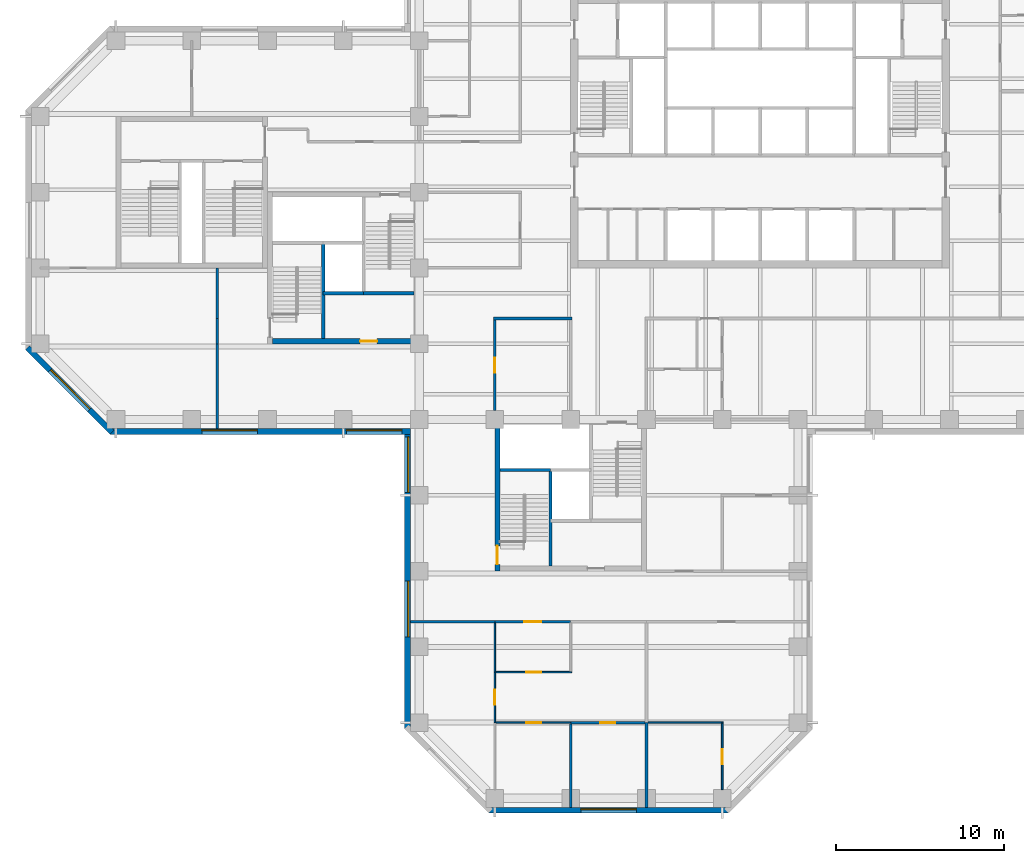
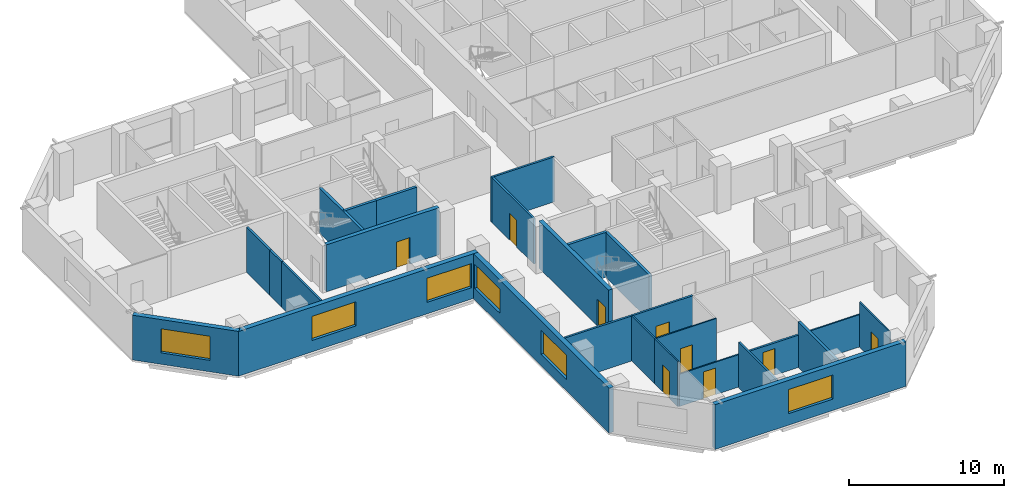
# One storey, part 3 of 11: 27 walls, 9 doors, 6 windows, 15 openings.
"""IFC4 building model written with IfcOpenShell, lengths in metres."""

from ifc_helpers import new_model, si_unit, direction, frame, frame_2d, origin, place, context, subcontext, project, spatial, rectangle, extrude, material, layer, layer_set, constituent, constituent_set, type_object, element, fill, save


model = new_model("IFC4")

# Units and contexts
model_context = context("Model", 3, precision=1e-05, world=origin(), true_north=direction((0.0, 1.0)))
body_context = subcontext(model_context, "Body", "Model", "MODEL_VIEW")
ifc_project = project(units=[si_unit("LENGTHUNIT", "METRE"), si_unit("AREAUNIT", "SQUARE_METRE"), si_unit("VOLUMEUNIT", "CUBIC_METRE"), si_unit("PLANEANGLEUNIT", "RADIAN"), si_unit("MASSUNIT", "GRAM", prefix="KILO")], contexts=[model_context])

# Site, building, storey
site_placement = place(None, origin())
site = spatial("IfcSite", under=ifc_project, at=site_placement, CompositionType="ELEMENT")
building_placement = place(site_placement, origin())
building = spatial("IfcBuilding", under=site, at=building_placement, Name="Quoin Convention Tower", CompositionType="ELEMENT")
storey_placement = place(building_placement, frame((0.0, 0.0, 123.300048828125)))
storey = spatial("IfcBuildingStorey", under=building, at=storey_placement, Name="L32", CompositionType="ELEMENT", Elevation=123.300048828125)

# Wall
ifc_material_1 = material(Name="Plasterboard")
ifc_layer_1 = layer(ifc_material_1, 0.012451171875, Name="Finish")
ifc_material_2 = material(Name="Steel stud framing", Category="steel")
ifc_layer_2 = layer(ifc_material_2, 0.125, Name="Structure")
ifc_layer_3 = layer(ifc_material_1, 0.012451171875, Name="Finish")
ifc_layer_set_1 = layer_set([ifc_layer_1, ifc_layer_2, ifc_layer_3], Name="Steel stud framing")
wall_type_1 = type_object("IfcWallType", Name="Acoustic partition 150", PredefinedType="PARTITIONING", material=ifc_layer_set_1)
wall_1_placement = place(storey_placement, frame((45.0, 17.47509765625, 0.0), z_axis=(0.0, 0.0, 1.0), x_axis=(0.0, 1.0, 0.0)))
element("IfcWall", 1, at=wall_1_placement, inside=storey, type_object=wall_type_1, Name="pw-L32-059", PredefinedType="PARTITIONING", context=body_context, shape_type="SweptSolid", body=[
    extrude(rectangle(XDim=4.949951171875, YDim=0.14990234375, at=frame_2d((2.47509765625, 0.0))), origin(), (0.0, 0.0, 1.0), 3.550048828125),
])

# Wall, opening, door
ifc_layer_4 = layer(ifc_material_1, 0.012451171875, Name="Finish")
ifc_layer_5 = layer(ifc_material_2, 0.125, Name="Structure")
ifc_layer_6 = layer(ifc_material_1, 0.012451171875, Name="Finish")
ifc_layer_set_2 = layer_set([ifc_layer_4, ifc_layer_5, ifc_layer_6], Name="Steel stud framing")
wall_type_2 = type_object("IfcWallType", Name="Acoustic partition 150 under beam 1000", PredefinedType="PARTITIONING", material=ifc_layer_set_2)
wall_2_placement = place(storey_placement, frame((45.0, 22.5, 0.0), z_axis=(0.0, 0.0, 1.0), x_axis=(1.0, 0.0, 0.0)))
wall_2 = element("IfcWall", 2, at=wall_2_placement, inside=storey, type_object=wall_type_2, Name="pw-L32-002", PredefinedType="PARTITIONING", context=body_context, shape_type="SweptSolid", body=[
    extrude(rectangle(XDim=4.39990234375, YDim=0.14990234375, at=frame_2d((2.199951171875, 0.0))), origin(), (0.0, 0.0, 1.0), 2.550048828125),
])
opening_1_placement = place(wall_2_placement, frame((1.75, 0.0, 0.0)))
opening_1 = element("IfcOpeningElement", 3, at=opening_1_placement, cuts=wall_2, Name="Opening DOL6-02", PredefinedType="OPENING", context=body_context, shape_type="SweptSolid", body=[
    extrude(rectangle(XDim=0.89990234375, YDim=2.10009765625, at=frame_2d((0.449951171875, 1.050048828125))), frame((0.0, 0.0849609375, 0.0), z_axis=(0.0, -1.0, 0.0), x_axis=(1.0, 0.0, 0.0)), (0.0, 0.0, 1.0), 0.169921875),
])
ifc_material_3 = material(Name="Steel door leaf", Category="steel")
door_type_1 = type_object("IfcDoorType", Name="Office door 900 x 2100", OperationType="SINGLE_SWING_RIGHT", PredefinedType="DOOR", material=ifc_material_3)
door_1_placement = place(opening_1_placement, origin())
door_1 = element("IfcDoor", 4, at=door_1_placement, inside=storey, type_object=door_type_1, Name="dr-L32-13", OperationType="SINGLE_SWING_RIGHT", OverallHeight=2.10009765625, OverallWidth=0.89990234375, PredefinedType="DOOR", context=body_context, shape_type="SweptSolid", body=[
    extrude(rectangle(XDim=0.89990234375, YDim=2.10009765625, at=frame_2d((0.449951171875, 1.050048828125))), frame((0.0, 0.02490234375, 0.0), z_axis=(0.0, -1.0, 0.0), x_axis=(1.0, 0.0, 0.0)), (0.0, 0.0, 1.0), 0.050048828125),
])
fill(opening_1, door_1)

# Wall, opening, window
ifc_material_4 = material(Name="Brick masonry", Category="masonry")
ifc_layer_7 = layer(ifc_material_4, 0.35009765625)
ifc_layer_set_3 = layer_set([ifc_layer_7], Name="Brick masonry")
wall_type_3 = type_object("IfcWallType", Name="Brick facade wall", PredefinedType="STANDARD", material=ifc_layer_set_3)
wall_3_placement = place(storey_placement, frame((12.748779296875, 44.76123046875, 0.0), z_axis=(0.0, 0.0, 1.0), x_axis=(0.707106781187, -0.707106781187, 0.0)))
wall_3 = element("IfcWall", 5, at=wall_3_placement, inside=storey, type_object=wall_type_3, Name="fw-L32-13500_45000", PredefinedType="STANDARD", context=body_context, shape_type="SweptSolid", body=[
    extrude(rectangle(XDim=7.088623046875, YDim=0.35009765625, at=frame_2d((3.54443359375, 0.0))), origin(), (0.0, 0.0, 1.0), 3.52490234375),
])
opening_2_placement = place(wall_3_placement, frame((1.894287109375, 0.0, 0.89990234375)))
opening_2 = element("IfcOpeningElement", 6, at=opening_2_placement, cuts=wall_3, Name="Opening W-02", PredefinedType="OPENING", context=body_context, shape_type="SweptSolid", body=[
    extrude(rectangle(XDim=3.300048828125, YDim=1.89990234375, at=frame_2d((1.64990234375, 0.949951171875))), frame((0.0, 0.18505859375, 0.0), z_axis=(0.0, -1.0, 0.0), x_axis=(1.0, 0.0, 0.0)), (0.0, 0.0, 1.0), 0.3701171875),
])
ifc_material_5 = material(Name="Aluminium", Category="aluminium")
ifc_constituent_1 = constituent(ifc_material_5, Name="Frame")
ifc_material_6 = material(Name="Insulated glass", Category="glass")
ifc_constituent_2 = constituent(ifc_material_6, Name="Glazing")
ifc_constituent_set = constituent_set(constituents=[ifc_constituent_1, ifc_constituent_2], Name="Aluminium")
window_type = type_object("IfcWindowType", Name="Office window", PartitioningType="DOUBLE_PANEL_VERTICAL", PredefinedType="WINDOW", material=ifc_constituent_set)
window_1_placement = place(opening_2_placement, origin())
window_1 = element("IfcWindow", 7, at=window_1_placement, inside=storey, type_object=window_type, Name="win-L32-15255_42255", OverallHeight=1.89990234375, OverallWidth=3.300048828125, PartitioningType="SINGLE_PANEL", PredefinedType="WINDOW", context=body_context, shape_type="SweptSolid", body=[
    extrude(rectangle(XDim=3.300048828125, YDim=1.89990234375, at=frame_2d((1.64990234375, 0.949951171875))), frame((0.0, 0.0849609375, 0.0), z_axis=(0.0, -1.0, 0.0), x_axis=(1.0, 0.0, 0.0)), (0.0, 0.0, 1.0), 0.06005859375),
])
fill(opening_2, window_1)

# Wall, openings, windows
wall_4_placement = place(storey_placement, frame((17.6376953125, 39.800048828125, 0.0), z_axis=(0.0, 0.0, 1.0), x_axis=(1.0, 0.0, 0.0)))
wall_4 = element("IfcWall", 8, at=wall_4_placement, inside=storey, type_object=wall_type_3, Name="fw-L32-18000_40500", PredefinedType="STANDARD", context=body_context, shape_type="SweptSolid", body=[
    extrude(rectangle(XDim=17.83740234375, YDim=0.35009765625, at=frame_2d((8.918701171875, 0.0))), origin(), (0.0, 0.0, 1.0), 3.52490234375),
])
opening_3_placement = place(wall_4_placement, frame((5.46240234375, 0.0, 0.89990234375)))
opening_3 = element("IfcOpeningElement", 9, at=opening_3_placement, cuts=wall_4, Name="Opening W-02", PredefinedType="OPENING", context=body_context, shape_type="SweptSolid", body=[
    extrude(rectangle(XDim=3.300048828125, YDim=1.89990234375, at=frame_2d((1.64990234375, 0.949951171875))), frame((0.0, 0.18505859375, 0.0), z_axis=(0.0, -1.0, 0.0), x_axis=(1.0, 0.0, 0.0)), (0.0, 0.0, 1.0), 0.3701171875),
])
opening_4_placement = place(wall_4_placement, frame((14.037353515625, 0.0, 0.89990234375)))
opening_4 = element("IfcOpeningElement", 10, at=opening_4_placement, cuts=wall_4, Name="Opening W-02", PredefinedType="OPENING", context=body_context, shape_type="SweptSolid", body=[
    extrude(rectangle(XDim=3.300048828125, YDim=1.89990234375, at=frame_2d((1.64990234375, 0.949951171875))), frame((0.0, 0.18505859375, 0.0), z_axis=(0.0, -1.0, 0.0), x_axis=(1.0, 0.0, 0.0)), (0.0, 0.0, 1.0), 0.3701171875),
])
window_2_placement = place(opening_3_placement, origin())
window_2 = element("IfcWindow", 11, at=window_2_placement, inside=storey, type_object=window_type, Name="win-L32-24750_39800", OverallHeight=1.89990234375, OverallWidth=3.300048828125, PartitioningType="SINGLE_PANEL", PredefinedType="WINDOW", context=body_context, shape_type="SweptSolid", body=[
    extrude(rectangle(XDim=3.300048828125, YDim=1.89990234375, at=frame_2d((1.64990234375, 0.949951171875))), frame((0.0, 0.0849609375, 0.0), z_axis=(0.0, -1.0, 0.0), x_axis=(1.0, 0.0, 0.0)), (0.0, 0.0, 1.0), 0.06005859375),
])
fill(opening_3, window_2)
window_3_placement = place(opening_4_placement, origin())
window_3 = element("IfcWindow", 12, at=window_3_placement, inside=storey, type_object=window_type, Name="win-L32-33750_39800", OverallHeight=1.89990234375, OverallWidth=3.300048828125, PartitioningType="SINGLE_PANEL", PredefinedType="WINDOW", context=body_context, shape_type="SweptSolid", body=[
    extrude(rectangle(XDim=3.300048828125, YDim=1.89990234375, at=frame_2d((1.64990234375, 0.949951171875))), frame((0.0, 0.0849609375, 0.0), z_axis=(0.0, -1.0, 0.0), x_axis=(1.0, 0.0, 0.0)), (0.0, 0.0, 1.0), 0.06005859375),
])
fill(opening_4, window_3)

wall_5_placement = place(storey_placement, frame((35.300048828125, 39.97509765625, 0.0), z_axis=(0.0, 0.0, 1.0), x_axis=(0.0, -1.0, 0.0)))
wall_5 = element("IfcWall", 13, at=wall_5_placement, inside=storey, type_object=wall_type_3, Name="fw-L32-36000_40500", PredefinedType="STANDARD", context=body_context, shape_type="SweptSolid", body=[
    extrude(rectangle(XDim=17.83740234375, YDim=0.35009765625, at=frame_2d((8.918701171875, 0.0))), origin(), (0.0, 0.0, 1.0), 3.52490234375),
])
opening_5_placement = place(wall_5_placement, frame((0.5, 0.0, 0.89990234375)))
opening_5 = element("IfcOpeningElement", 14, at=opening_5_placement, cuts=wall_5, Name="Opening W-02", PredefinedType="OPENING", context=body_context, shape_type="SweptSolid", body=[
    extrude(rectangle(XDim=3.300048828125, YDim=1.89990234375, at=frame_2d((1.64990234375, 0.949951171875))), frame((0.0, 0.18505859375, 0.0), z_axis=(0.0, -1.0, 0.0), x_axis=(1.0, 0.0, 0.0)), (0.0, 0.0, 1.0), 0.3701171875),
])
opening_6_placement = place(wall_5_placement, frame((9.074951171875, 0.0, 0.89990234375)))
opening_6 = element("IfcOpeningElement", 15, at=opening_6_placement, cuts=wall_5, Name="Opening W-02", PredefinedType="OPENING", context=body_context, shape_type="SweptSolid", body=[
    extrude(rectangle(XDim=3.300048828125, YDim=1.89990234375, at=frame_2d((1.64990234375, 0.949951171875))), frame((0.0, 0.18505859375, 0.0), z_axis=(0.0, -1.0, 0.0), x_axis=(1.0, 0.0, 0.0)), (0.0, 0.0, 1.0), 0.3701171875),
])
window_4_placement = place(opening_5_placement, origin())
window_4 = element("IfcWindow", 16, at=window_4_placement, inside=storey, type_object=window_type, Name="win-L32-35300_38250", OverallHeight=1.89990234375, OverallWidth=3.300048828125, PartitioningType="SINGLE_PANEL", PredefinedType="WINDOW", context=body_context, shape_type="SweptSolid", body=[
    extrude(rectangle(XDim=3.300048828125, YDim=1.89990234375, at=frame_2d((1.64990234375, 0.949951171875))), frame((0.0, 0.0849609375, 0.0), z_axis=(0.0, -1.0, 0.0), x_axis=(1.0, 0.0, 0.0)), (0.0, 0.0, 1.0), 0.06005859375),
])
fill(opening_5, window_4)
window_5_placement = place(opening_6_placement, origin())
window_5 = element("IfcWindow", 17, at=window_5_placement, inside=storey, type_object=window_type, Name="win-L32-35300_29250", OverallHeight=1.89990234375, OverallWidth=3.300048828125, PartitioningType="SINGLE_PANEL", PredefinedType="WINDOW", context=body_context, shape_type="SweptSolid", body=[
    extrude(rectangle(XDim=3.300048828125, YDim=1.89990234375, at=frame_2d((1.64990234375, 0.949951171875))), frame((0.0, 0.0849609375, 0.0), z_axis=(0.0, -1.0, 0.0), x_axis=(1.0, 0.0, 0.0)), (0.0, 0.0, 1.0), 0.06005859375),
])
fill(opening_6, window_5)

# Wall, opening, window
wall_6_placement = place(storey_placement, frame((40.1376953125, 17.300048828125, 0.0), z_axis=(0.0, 0.0, 1.0), x_axis=(1.0, 0.0, 0.0)))
wall_6 = element("IfcWall", 18, at=wall_6_placement, inside=storey, type_object=wall_type_3, Name="fw-L32-40500_18000", PredefinedType="STANDARD", context=body_context, shape_type="SweptSolid", body=[
    extrude(rectangle(XDim=14.224609375, YDim=0.35009765625, at=frame_2d((7.1123046875, 0.0))), origin(), (0.0, 0.0, 1.0), 3.52490234375),
])
opening_7_placement = place(wall_6_placement, frame((5.46240234375, 0.0, 0.89990234375)))
opening_7 = element("IfcOpeningElement", 19, at=opening_7_placement, cuts=wall_6, Name="Opening W-02", PredefinedType="OPENING", context=body_context, shape_type="SweptSolid", body=[
    extrude(rectangle(XDim=3.300048828125, YDim=1.89990234375, at=frame_2d((1.64990234375, 0.949951171875))), frame((0.0, 0.18505859375, 0.0), z_axis=(0.0, -1.0, 0.0), x_axis=(1.0, 0.0, 0.0)), (0.0, 0.0, 1.0), 0.3701171875),
])
window_6_placement = place(opening_7_placement, origin())
window_6 = element("IfcWindow", 20, at=window_6_placement, inside=storey, type_object=window_type, Name="win-L32-47250_17300", OverallHeight=1.89990234375, OverallWidth=3.300048828125, PartitioningType="SINGLE_PANEL", PredefinedType="WINDOW", context=body_context, shape_type="SweptSolid", body=[
    extrude(rectangle(XDim=3.300048828125, YDim=1.89990234375, at=frame_2d((1.64990234375, 0.949951171875))), frame((0.0, 0.0849609375, 0.0), z_axis=(0.0, -1.0, 0.0), x_axis=(1.0, 0.0, 0.0)), (0.0, 0.0, 1.0), 0.06005859375),
])
fill(opening_7, window_6)

# Walls
ifc_material_7 = material(Name="Concrete C50", Category="concrete")
ifc_layer_8 = layer(ifc_material_7, 0.199951171875)
ifc_layer_set_4 = layer_set([ifc_layer_8], Name="Concrete C50")
wall_type_4 = type_object("IfcWallType", Name="Core shaft wall", PredefinedType="SOLIDWALL", material=ifc_layer_set_4)
wall_7_placement = place(storey_placement, frame((30.300048828125, 48.0, 0.0), z_axis=(0.0, 0.0, 1.0), x_axis=(1.0, 0.0, 0.0)))
element("IfcWall", 21, at=wall_7_placement, inside=storey, type_object=wall_type_4, Name="cr-P2-L32-h3000_3300", PredefinedType="SOLIDWALL", context=body_context, shape_type="SweptSolid", body=[
    extrude(rectangle(XDim=2.39990234375, YDim=0.199951171875, at=frame_2d((1.199951171875, 0.0))), origin(), (0.0, 0.0, 1.0), 3.550048828125),
])
wall_8_placement = place(storey_placement, frame((32.699951171875, 48.0, 0.0), z_axis=(0.0, 0.0, 1.0), x_axis=(1.0, 0.0, 0.0)))
element("IfcWall", 22, at=wall_8_placement, inside=storey, type_object=wall_type_4, Name="cr-P2-L32-h3000_5700", PredefinedType="SOLIDWALL", context=body_context, shape_type="SweptSolid", body=[
    extrude(rectangle(XDim=3.0, YDim=0.199951171875, at=frame_2d((1.5, 0.0))), origin(), (0.0, 0.0, 1.0), 3.550048828125),
])
wall_9_placement = place(storey_placement, frame((30.300048828125, 45.300048828125, 0.0), z_axis=(0.0, 0.0, 1.0), x_axis=(0.0, 1.0, 0.0)))
element("IfcWall", 23, at=wall_9_placement, inside=storey, type_object=wall_type_4, Name="cr-P2-L32-v3300_300", PredefinedType="SOLIDWALL", context=body_context, shape_type="SweptSolid", body=[
    extrude(rectangle(XDim=5.699951171875, YDim=0.199951171875, at=frame_2d((2.85009765625, 0.0))), origin(), (0.0, 0.0, 1.0), 3.550048828125),
])
wall_10_placement = place(storey_placement, frame((40.800048828125, 37.5, 0.0), z_axis=(0.0, 0.0, 1.0), x_axis=(1.0, 0.0, 0.0)))
element("IfcWall", 24, at=wall_10_placement, inside=storey, type_object=wall_type_4, Name="cr-P3-L32-h6000_300", PredefinedType="SOLIDWALL", context=body_context, shape_type="SweptSolid", body=[
    extrude(rectangle(XDim=3.0, YDim=0.199951171875, at=frame_2d((1.5, 0.0))), origin(), (0.0, 0.0, 1.0), 3.550048828125),
])
wall_11_placement = place(storey_placement, frame((43.800048828125, 31.800048828125, 0.0), z_axis=(0.0, 0.0, 1.0), x_axis=(0.0, 1.0, 0.0)))
element("IfcWall", 25, at=wall_11_placement, inside=storey, type_object=wall_type_4, Name="cr-P3-L32-v3300_300", PredefinedType="SOLIDWALL", context=body_context, shape_type="SweptSolid", body=[
    extrude(rectangle(XDim=5.699951171875, YDim=0.199951171875, at=frame_2d((2.85009765625, 0.0))), origin(), (0.0, 0.0, 1.0), 3.550048828125),
])
ifc_layer_9 = layer(ifc_material_1, 0.012451171875, Name="Finish")
ifc_layer_10 = layer(ifc_material_2, 0.125, Name="Structure")
ifc_layer_11 = layer(ifc_material_1, 0.012451171875, Name="Finish")
ifc_layer_set_5 = layer_set([ifc_layer_9, ifc_layer_10, ifc_layer_11], Name="Steel stud framing")
wall_type_5 = type_object("IfcWallType", Name="Corridor wall 150", PredefinedType="PARTITIONING", material=ifc_layer_set_5)
wall_12_placement = place(storey_placement, frame((35.47509765625, 28.5, 0.0), z_axis=(0.0, 0.0, 1.0), x_axis=(1.0, 0.0, 0.0)))
element("IfcWall", 26, at=wall_12_placement, inside=storey, type_object=wall_type_5, Name="pw-L32-005", PredefinedType="PARTITIONING", context=body_context, shape_type="SweptSolid", body=[
    extrude(rectangle(XDim=5.02490234375, YDim=0.14990234375, at=frame_2d((2.512451171875, 0.0))), origin(), (0.0, 0.0, 1.0), 3.550048828125),
])

# Wall, opening, door
wall_13_placement = place(storey_placement, frame((40.5, 28.5, 0.0), z_axis=(0.0, 0.0, 1.0), x_axis=(1.0, 0.0, 0.0)))
wall_13 = element("IfcWall", 27, at=wall_13_placement, inside=storey, type_object=wall_type_5, Name="pw-L32-006", PredefinedType="PARTITIONING", context=body_context, shape_type="SweptSolid", body=[
    extrude(rectangle(XDim=4.5, YDim=0.14990234375, at=frame_2d((2.25, 0.0))), origin(), (0.0, 0.0, 1.0), 3.550048828125),
])
opening_8_placement = place(wall_13_placement, frame((1.75, 0.0, 0.0)))
opening_8 = element("IfcOpeningElement", 28, at=opening_8_placement, cuts=wall_13, Name="Opening DOL6-04", PredefinedType="OPENING", context=body_context, shape_type="SweptSolid", body=[
    extrude(rectangle(XDim=1.0, YDim=2.10009765625, at=frame_2d((0.5, 1.050048828125))), frame((0.0, 0.0849609375, 0.0), z_axis=(0.0, -1.0, 0.0), x_axis=(1.0, 0.0, 0.0)), (0.0, 0.0, 1.0), 0.169921875),
])
door_type_2 = type_object("IfcDoorType", Name="Tenancy entrance door 1000 x 2100", OperationType="DOUBLE_DOOR_SINGLE_SWING", PredefinedType="DOOR", material=ifc_material_3)
door_2_placement = place(opening_8_placement, frame((1.0, 0.0, 0.0), z_axis=(0.0, 0.0, 1.0), x_axis=(-1.0, 0.0, 0.0)))
door_2 = element("IfcDoor", 29, at=door_2_placement, inside=storey, type_object=door_type_2, Name="dr-L32-09", OperationType="DOUBLE_DOOR_SINGLE_SWING", OverallHeight=2.10009765625, OverallWidth=1.0, PredefinedType="DOOR", context=body_context, shape_type="SweptSolid", body=[
    extrude(rectangle(XDim=1.0, YDim=2.10009765625, at=frame_2d((0.5, 1.050048828125))), frame((0.0, 0.02490234375, 0.0), z_axis=(0.0, -1.0, 0.0), x_axis=(1.0, 0.0, 0.0)), (0.0, 0.0, 1.0), 0.050048828125),
])
fill(opening_8, door_2)

# Walls
wall_14_placement = place(storey_placement, frame((40.425048828125, 46.5, 0.0), z_axis=(0.0, 0.0, 1.0), x_axis=(1.0, 0.0, 0.0)))
element("IfcWall", 30, at=wall_14_placement, inside=storey, type_object=wall_type_5, Name="pw-L32-020", PredefinedType="PARTITIONING", context=body_context, shape_type="SweptSolid", body=[
    extrude(rectangle(XDim=4.64990234375, YDim=0.14990234375, at=frame_2d((2.324951171875, 0.0))), origin(), (0.0, 0.0, 1.0), 3.550048828125),
])
wall_15_placement = place(storey_placement, frame((24.0, 39.97509765625, 0.0), z_axis=(0.0, 0.0, 1.0), x_axis=(0.0, 1.0, 0.0)))
element("IfcWall", 31, at=wall_15_placement, inside=storey, type_object=wall_type_5, Name="pw-L32-068", PredefinedType="PARTITIONING", context=body_context, shape_type="SweptSolid", body=[
    extrude(rectangle(XDim=5.02490234375, YDim=0.14990234375, at=frame_2d((2.512451171875, 0.0))), origin(), (0.0, 0.0, 1.0), 3.550048828125),
])

# Wall, opening, door
wall_16_placement = place(storey_placement, frame((40.5, 41.02490234375, 0.0), z_axis=(0.0, 0.0, 1.0), x_axis=(0.0, 1.0, 0.0)))
wall_16 = element("IfcWall", 32, at=wall_16_placement, inside=storey, type_object=wall_type_5, Name="pw-L32-069", PredefinedType="PARTITIONING", context=body_context, shape_type="SweptSolid", body=[
    extrude(rectangle(XDim=5.400146484375, YDim=0.14990234375, at=frame_2d((2.7001953125, 0.0))), origin(), (0.0, 0.0, 1.0), 3.550048828125),
])
opening_9_placement = place(wall_16_placement, frame((2.25, 0.0, 0.0)))
opening_9 = element("IfcOpeningElement", 33, at=opening_9_placement, cuts=wall_16, Name="Opening DOL6-25", PredefinedType="OPENING", context=body_context, shape_type="SweptSolid", body=[
    extrude(rectangle(XDim=0.89990234375, YDim=2.10009765625, at=frame_2d((0.449951171875, 1.050048828125))), frame((0.0, 0.0849609375, 0.0), z_axis=(0.0, -1.0, 0.0), x_axis=(1.0, 0.0, 0.0)), (0.0, 0.0, 1.0), 0.169921875),
])
door_3_placement = place(opening_9_placement, frame((0.89990234375, 0.0, 0.0), z_axis=(0.0, 0.0, 1.0), x_axis=(-1.0, 0.0, 0.0)))
door_3 = element("IfcDoor", 34, at=door_3_placement, inside=storey, type_object=door_type_1, Name="dr-L32-02", OperationType="SINGLE_SWING_LEFT", OverallHeight=2.10009765625, OverallWidth=0.89990234375, PredefinedType="DOOR", context=body_context, shape_type="SweptSolid", body=[
    extrude(rectangle(XDim=0.89990234375, YDim=2.10009765625, at=frame_2d((0.449951171875, 1.050048828125))), frame((0.0, 0.02490234375, 0.0), z_axis=(0.0, -1.0, 0.0), x_axis=(1.0, 0.0, 0.0)), (0.0, 0.0, 1.0), 0.050048828125),
])
fill(opening_9, door_3)

# Walls
wall_17_placement = place(storey_placement, frame((24.0, 45.0, 0.0), z_axis=(0.0, 0.0, 1.0), x_axis=(0.0, 1.0, 0.0)))
element("IfcWall", 35, at=wall_17_placement, inside=storey, type_object=wall_type_5, Name="pw-L32-077", PredefinedType="PARTITIONING", context=body_context, shape_type="SweptSolid", body=[
    extrude(rectangle(XDim=1.5, YDim=0.14990234375, at=frame_2d((0.75, 0.0))), origin(), (0.0, 0.0, 1.0), 3.550048828125),
])
wall_18_placement = place(storey_placement, frame((24.0, 46.5, 0.0), z_axis=(0.0, 0.0, 1.0), x_axis=(0.0, 1.0, 0.0)))
element("IfcWall", 36, at=wall_18_placement, inside=storey, type_object=wall_type_5, Name="pw-L32-079", PredefinedType="PARTITIONING", context=body_context, shape_type="SweptSolid", body=[
    extrude(rectangle(XDim=3.0, YDim=0.14990234375, at=frame_2d((1.5, 0.0))), origin(), (0.0, 0.0, 1.0), 3.550048828125),
])

# Wall, opening, door
ifc_material_8 = material(Name="Concrete C65", Category="concrete")
ifc_layer_12 = layer(ifc_material_8, 0.300048828125)
ifc_layer_set_6 = layer_set([ifc_layer_12], Name="Concrete C65")
wall_type_6 = type_object("IfcWallType", Name="RC CORE WALL 300 C65", PredefinedType="SHEAR", material=ifc_layer_set_6)
wall_19_placement = place(storey_placement, frame((27.300048828125, 45.14990234375, 0.0), z_axis=(0.0, 0.0, 1.0), x_axis=(1.0, 0.0, 0.0)))
wall_19 = element("IfcWall", 37, at=wall_19_placement, inside=storey, type_object=wall_type_6, Name="cwl-P2-L32-S", PredefinedType="SHEAR", context=body_context, shape_type="SweptSolid", body=[
    extrude(rectangle(XDim=8.39990234375, YDim=0.300048828125, at=frame_2d((4.199951171875, 0.0))), origin(), (0.0, 0.0, 1.0), 3.699951171875),
])
opening_10_placement = place(wall_19_placement, frame((5.199951171875, 0.0, 0.0)))
opening_10 = element("IfcOpeningElement", 38, at=opening_10_placement, cuts=wall_19, Name="Opening DCV5-51", PredefinedType="OPENING", context=body_context, shape_type="SweptSolid", body=[
    extrude(rectangle(XDim=1.0, YDim=2.10009765625, at=frame_2d((0.5, 1.050048828125))), frame((0.0, 0.159912109375, 0.0), z_axis=(0.0, -1.0, 0.0), x_axis=(1.0, 0.0, 0.0)), (0.0, 0.0, 1.0), 0.320068359375),
])
door_type_3 = type_object("IfcDoorType", Name="Service door 1000 x 2100", OperationType="SINGLE_SWING_LEFT", PredefinedType="DOOR", material=ifc_material_3)
door_4_placement = place(opening_10_placement, origin())
door_4 = element("IfcDoor", 39, at=door_4_placement, inside=storey, type_object=door_type_3, Name="cd-P2-L32-R2-S", OperationType="SINGLE_SWING_LEFT", OverallHeight=2.10009765625, OverallWidth=1.0, PredefinedType="DOOR", context=body_context, shape_type="SweptSolid", body=[
    extrude(rectangle(XDim=1.0, YDim=2.10009765625, at=frame_2d((0.5, 1.050048828125))), frame((0.0, 0.02490234375, 0.0), z_axis=(0.0, -1.0, 0.0), x_axis=(1.0, 0.0, 0.0)), (0.0, 0.0, 1.0), 0.050048828125),
])
fill(opening_10, door_4)

wall_20_placement = place(storey_placement, frame((40.64990234375, 31.5, 0.0), z_axis=(0.0, 0.0, 1.0), x_axis=(0.0, 1.0, 0.0)))
wall_20 = element("IfcWall", 40, at=wall_20_placement, inside=storey, type_object=wall_type_6, Name="cwl-P3-L32-W", PredefinedType="SHEAR", context=body_context, shape_type="SweptSolid", body=[
    extrude(rectangle(XDim=9.0, YDim=0.300048828125, at=frame_2d((4.5, 0.0))), origin(), (0.0, 0.0, 1.0), 3.699951171875),
])
opening_11_placement = place(wall_20_placement, frame((0.39990234375, 0.0, 0.0)))
opening_11 = element("IfcOpeningElement", 41, at=opening_11_placement, cuts=wall_20, Name="Opening SD5", PredefinedType="OPENING", context=body_context, shape_type="SweptSolid", body=[
    extrude(rectangle(XDim=1.10009765625, YDim=2.10009765625, at=frame_2d((0.550048828125, 1.050048828125))), frame((0.0, 0.159912109375, 0.0), z_axis=(0.0, -1.0, 0.0), x_axis=(1.0, 0.0, 0.0)), (0.0, 0.0, 1.0), 0.320068359375),
])
door_type_4 = type_object("IfcDoorType", Name="Stair door 1100 x 2100", OperationType="SINGLE_SWING_RIGHT", PredefinedType="DOOR", material=ifc_material_3)
door_5_placement = place(opening_11_placement, frame((1.10009765625, 0.0, 0.0), z_axis=(0.0, 0.0, 1.0), x_axis=(-1.0, 0.0, 0.0)))
door_5 = element("IfcDoor", 42, at=door_5_placement, inside=storey, type_object=door_type_4, Name="cd-P3-L32-SA-W", OperationType="SINGLE_SWING_RIGHT", OverallHeight=2.10009765625, OverallWidth=1.10009765625, PredefinedType="DOOR", context=body_context, shape_type="SweptSolid", body=[
    extrude(rectangle(XDim=1.10009765625, YDim=2.10009765625, at=frame_2d((0.550048828125, 1.050048828125))), frame((0.0, 0.02490234375, 0.0), z_axis=(0.0, -1.0, 0.0), x_axis=(1.0, 0.0, 0.0)), (0.0, 0.0, 1.0), 0.050048828125),
])
fill(opening_11, door_5)

ifc_layer_13 = layer(ifc_material_1, 0.012451171875, Name="Finish")
ifc_layer_14 = layer(ifc_material_2, 0.074951171875, Name="Structure")
ifc_layer_15 = layer(ifc_material_1, 0.012451171875, Name="Finish")
ifc_layer_set_7 = layer_set([ifc_layer_13, ifc_layer_14, ifc_layer_15], Name="Steel stud framing")
wall_type_7 = type_object("IfcWallType", Name="Stud partition 100", PredefinedType="PARTITIONING", material=ifc_layer_set_7)
wall_21_placement = place(storey_placement, frame((40.550048828125, 25.5, 0.0), z_axis=(0.0, 0.0, 1.0), x_axis=(1.0, 0.0, 0.0)))
wall_21 = element("IfcWall", 43, at=wall_21_placement, inside=storey, type_object=wall_type_7, Name="pw-L32-004", PredefinedType="PARTITIONING", context=body_context, shape_type="SweptSolid", body=[
    extrude(rectangle(XDim=4.5, YDim=0.10009765625, at=frame_2d((2.25, 0.0))), origin(), (0.0, 0.0, 1.0), 3.550048828125),
])
opening_12_placement = place(wall_21_placement, frame((1.800048828125, 0.0, 0.0)))
opening_12 = element("IfcOpeningElement", 44, at=opening_12_placement, cuts=wall_21, Name="Opening DOL6-03", PredefinedType="OPENING", context=body_context, shape_type="SweptSolid", body=[
    extrude(rectangle(XDim=0.89990234375, YDim=2.10009765625, at=frame_2d((0.449951171875, 1.050048828125))), frame((0.0, 0.06005859375, 0.0), z_axis=(0.0, -1.0, 0.0), x_axis=(1.0, 0.0, 0.0)), (0.0, 0.0, 1.0), 0.1201171875),
])
door_6_placement = place(opening_12_placement, frame((0.89990234375, 0.0, 0.0), z_axis=(0.0, 0.0, 1.0), x_axis=(-1.0, 0.0, 0.0)))
door_6 = element("IfcDoor", 45, at=door_6_placement, inside=storey, type_object=door_type_1, Name="dr-L32-10", OperationType="SINGLE_SWING_LEFT", OverallHeight=2.10009765625, OverallWidth=0.89990234375, PredefinedType="DOOR", context=body_context, shape_type="SweptSolid", body=[
    extrude(rectangle(XDim=0.89990234375, YDim=2.10009765625, at=frame_2d((0.449951171875, 1.050048828125))), frame((0.0, 0.02490234375, 0.0), z_axis=(0.0, -1.0, 0.0), x_axis=(1.0, 0.0, 0.0)), (0.0, 0.0, 1.0), 0.050048828125),
])
fill(opening_12, door_6)

wall_22_placement = place(storey_placement, frame((54.0, 18.52490234375, 0.0), z_axis=(0.0, 0.0, 1.0), x_axis=(0.0, 1.0, 0.0)))
wall_22 = element("IfcWall", 46, at=wall_22_placement, inside=storey, type_object=wall_type_7, Name="pw-L32-062", PredefinedType="PARTITIONING", context=body_context, shape_type="SweptSolid", body=[
    extrude(rectangle(XDim=3.925048828125, YDim=0.10009765625, at=frame_2d((1.96240234375, 0.0))), origin(), (0.0, 0.0, 1.0), 3.550048828125),
])
opening_13_placement = place(wall_22_placement, frame((1.5, 0.0, 0.0)))
opening_13 = element("IfcOpeningElement", 47, at=opening_13_placement, cuts=wall_22, Name="Opening DOL6-23", PredefinedType="OPENING", context=body_context, shape_type="SweptSolid", body=[
    extrude(rectangle(XDim=0.89990234375, YDim=2.10009765625, at=frame_2d((0.449951171875, 1.050048828125))), frame((0.0, 0.06005859375, 0.0), z_axis=(0.0, -1.0, 0.0), x_axis=(1.0, 0.0, 0.0)), (0.0, 0.0, 1.0), 0.1201171875),
])
door_7_placement = place(opening_13_placement, frame((0.89990234375, 0.0, 0.0), z_axis=(0.0, 0.0, 1.0), x_axis=(-1.0, 0.0, 0.0)))
door_7 = element("IfcDoor", 48, at=door_7_placement, inside=storey, type_object=door_type_1, Name="dr-L32-15", OperationType="SINGLE_SWING_LEFT", OverallHeight=2.10009765625, OverallWidth=0.89990234375, PredefinedType="DOOR", context=body_context, shape_type="SweptSolid", body=[
    extrude(rectangle(XDim=0.89990234375, YDim=2.10009765625, at=frame_2d((0.449951171875, 1.050048828125))), frame((0.0, 0.02490234375, 0.0), z_axis=(0.0, -1.0, 0.0), x_axis=(1.0, 0.0, 0.0)), (0.0, 0.0, 1.0), 0.050048828125),
])
fill(opening_13, door_7)

wall_23_placement = place(storey_placement, frame((40.5, 22.5, 0.0), z_axis=(0.0, 0.0, 1.0), x_axis=(0.0, 1.0, 0.0)))
wall_23 = element("IfcWall", 49, at=wall_23_placement, inside=storey, type_object=wall_type_7, Name="pw-L32-063", PredefinedType="PARTITIONING", context=body_context, shape_type="SweptSolid", body=[
    extrude(rectangle(XDim=3.0, YDim=0.10009765625, at=frame_2d((1.5, 0.0))), origin(), (0.0, 0.0, 1.0), 3.550048828125),
])
opening_14_placement = place(wall_23_placement, frame((1.050048828125, 0.0, 0.0)))
opening_14 = element("IfcOpeningElement", 50, at=opening_14_placement, cuts=wall_23, Name="Opening DOL6-24", PredefinedType="OPENING", context=body_context, shape_type="SweptSolid", body=[
    extrude(rectangle(XDim=0.89990234375, YDim=2.10009765625, at=frame_2d((0.449951171875, 1.050048828125))), frame((0.0, 0.06005859375, 0.0), z_axis=(0.0, -1.0, 0.0), x_axis=(1.0, 0.0, 0.0)), (0.0, 0.0, 1.0), 0.1201171875),
])
door_8_placement = place(opening_14_placement, origin())
door_8 = element("IfcDoor", 51, at=door_8_placement, inside=storey, type_object=door_type_1, Name="dr-L32-11", OperationType="SINGLE_SWING_RIGHT", OverallHeight=2.10009765625, OverallWidth=0.89990234375, PredefinedType="DOOR", context=body_context, shape_type="SweptSolid", body=[
    extrude(rectangle(XDim=0.89990234375, YDim=2.10009765625, at=frame_2d((0.449951171875, 1.050048828125))), frame((0.0, 0.02490234375, 0.0), z_axis=(0.0, -1.0, 0.0), x_axis=(1.0, 0.0, 0.0)), (0.0, 0.0, 1.0), 0.050048828125),
])
fill(opening_14, door_8)

# Wall
wall_24_placement = place(storey_placement, frame((40.5, 25.5, 0.0), z_axis=(0.0, 0.0, 1.0), x_axis=(0.0, 1.0, 0.0)))
element("IfcWall", 52, at=wall_24_placement, inside=storey, type_object=wall_type_7, Name="pw-L32-065", PredefinedType="PARTITIONING", context=body_context, shape_type="SweptSolid", body=[
    extrude(rectangle(XDim=2.925048828125, YDim=0.10009765625, at=frame_2d((1.46240234375, 0.0))), origin(), (0.0, 0.0, 1.0), 3.550048828125),
])

# Wall, opening, door
ifc_layer_16 = layer(ifc_material_1, 0.012451171875, Name="Finish")
ifc_layer_17 = layer(ifc_material_2, 0.074951171875, Name="Structure")
ifc_layer_18 = layer(ifc_material_1, 0.012451171875, Name="Finish")
ifc_layer_set_8 = layer_set([ifc_layer_16, ifc_layer_17, ifc_layer_18], Name="Steel stud framing")
wall_type_8 = type_object("IfcWallType", Name="Stud partition 100 under beam 1000", PredefinedType="PARTITIONING", material=ifc_layer_set_8)
wall_25_placement = place(storey_placement, frame((40.550048828125, 22.5, 0.0), z_axis=(0.0, 0.0, 1.0), x_axis=(1.0, 0.0, 0.0)))
wall_25 = element("IfcWall", 53, at=wall_25_placement, inside=storey, type_object=wall_type_8, Name="pw-L32-001", PredefinedType="PARTITIONING", context=body_context, shape_type="SweptSolid", body=[
    extrude(rectangle(XDim=4.449951171875, YDim=0.10009765625, at=frame_2d((2.22509765625, 0.0))), origin(), (0.0, 0.0, 1.0), 2.550048828125),
])
opening_15_placement = place(wall_25_placement, frame((1.800048828125, 0.0, 0.0)))
opening_15 = element("IfcOpeningElement", 54, at=opening_15_placement, cuts=wall_25, Name="Opening DOL6-01", PredefinedType="OPENING", context=body_context, shape_type="SweptSolid", body=[
    extrude(rectangle(XDim=0.89990234375, YDim=2.10009765625, at=frame_2d((0.449951171875, 1.050048828125))), frame((0.0, 0.06005859375, 0.0), z_axis=(0.0, -1.0, 0.0), x_axis=(1.0, 0.0, 0.0)), (0.0, 0.0, 1.0), 0.1201171875),
])
door_9_placement = place(opening_15_placement, origin())
door_9 = element("IfcDoor", 55, at=door_9_placement, inside=storey, type_object=door_type_1, Name="dr-L32-12", OperationType="SINGLE_SWING_RIGHT", OverallHeight=2.10009765625, OverallWidth=0.89990234375, PredefinedType="DOOR", context=body_context, shape_type="SweptSolid", body=[
    extrude(rectangle(XDim=0.89990234375, YDim=2.10009765625, at=frame_2d((0.449951171875, 1.050048828125))), frame((0.0, 0.02490234375, 0.0), z_axis=(0.0, -1.0, 0.0), x_axis=(1.0, 0.0, 0.0)), (0.0, 0.0, 1.0), 0.050048828125),
])
fill(opening_15, door_9)

# Walls
wall_26_placement = place(storey_placement, frame((49.60009765625, 22.5, 0.0), z_axis=(0.0, 0.0, 1.0), x_axis=(1.0, 0.0, 0.0)))
element("IfcWall", 56, at=wall_26_placement, inside=storey, type_object=wall_type_8, Name="pw-L32-003", PredefinedType="PARTITIONING", context=body_context, shape_type="SweptSolid", body=[
    extrude(rectangle(XDim=4.449951171875, YDim=0.10009765625, at=frame_2d((2.22509765625, 0.0))), origin(), (0.0, 0.0, 1.0), 2.550048828125),
])
ifc_layer_19 = layer(ifc_material_1, 0.012451171875, Name="Finish")
ifc_layer_20 = layer(ifc_material_2, 0.175048828125, Name="Structure")
ifc_layer_21 = layer(ifc_material_1, 0.012451171875, Name="Finish")
ifc_layer_set_9 = layer_set([ifc_layer_19, ifc_layer_20, ifc_layer_21], Name="Steel stud framing")
wall_type_9 = type_object("IfcWallType", Name="Tenancy demising wall 200", PredefinedType="PARTITIONING", material=ifc_layer_set_9)
wall_27_placement = place(storey_placement, frame((49.5, 17.47509765625, 0.0), z_axis=(0.0, 0.0, 1.0), x_axis=(0.0, 1.0, 0.0)))
element("IfcWall", 57, at=wall_27_placement, inside=storey, type_object=wall_type_9, Name="pw-L32-060", PredefinedType="PARTITIONING", context=body_context, shape_type="SweptSolid", body=[
    extrude(rectangle(XDim=5.02490234375, YDim=0.199951171875, at=frame_2d((2.512451171875, 0.0))), origin(), (0.0, 0.0, 1.0), 3.550048828125),
])

save(model, "model.ifc")
